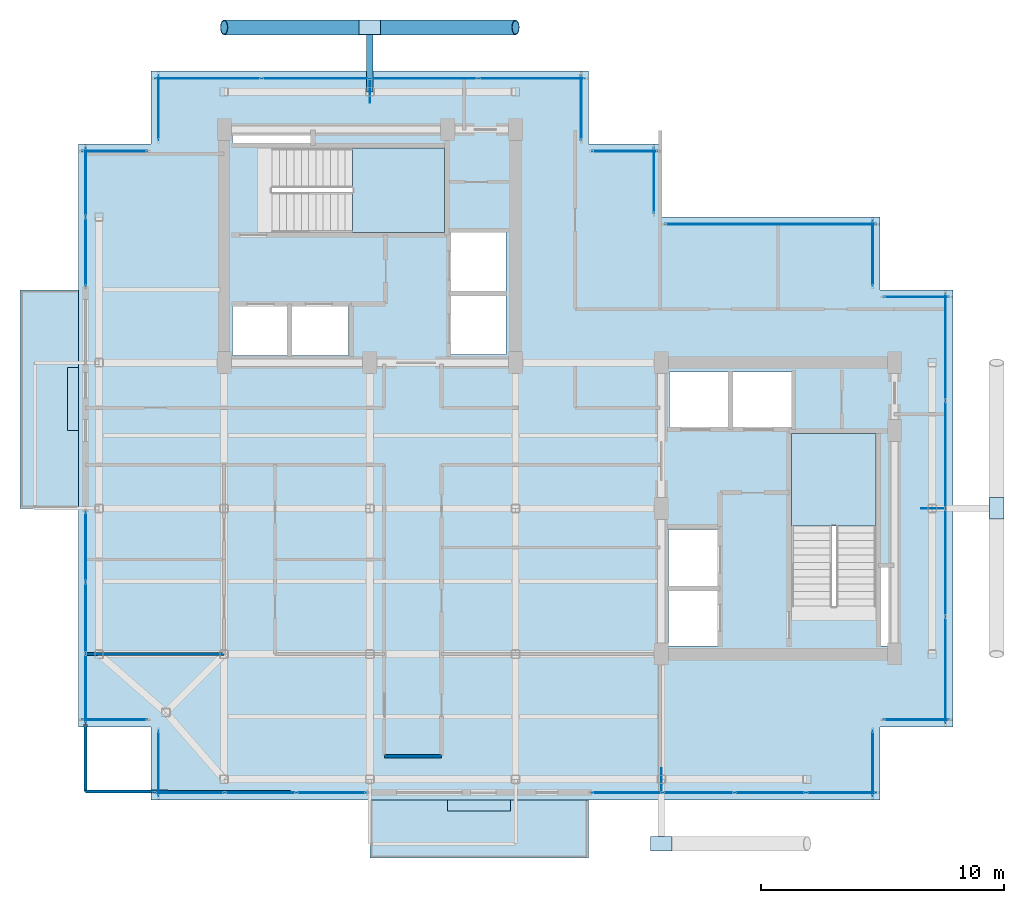
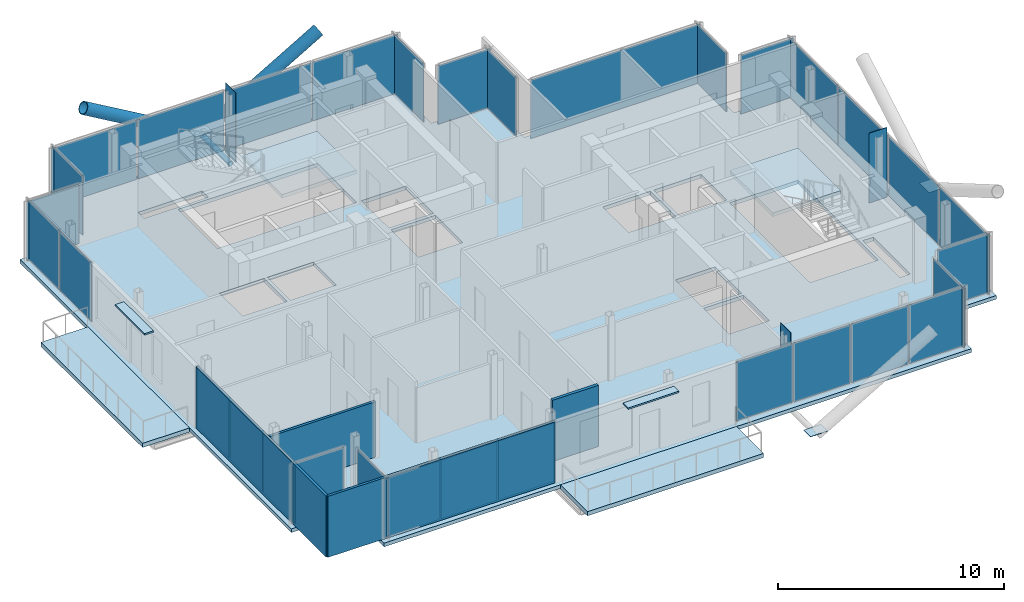
# One storey, part 13 of 18: 40 plates, 5 slabs, 4 walls, 3 members, 20 elements without a shape of their own.
"""IFC4 building model written with IfcOpenShell, lengths in metres."""

from ifc_helpers import new_model, si_unit, direction, frame, frame_2d, origin, origin_2d, place, context, subcontext, project, spatial, polyline, rectangle, hollow_circle, outline, extrude, material, layer, layer_set, material_profile, profile_set, type_object, element, aggregate, save


model = new_model("IFC4")

# Units and contexts
model_context = context("Model", 3, precision=1e-05, world=origin(), true_north=direction((0.0, 1.0)))
body_context = subcontext(model_context, "Body", "Model", "MODEL_VIEW")
ifc_project = project(units=[si_unit("LENGTHUNIT", "METRE"), si_unit("AREAUNIT", "SQUARE_METRE"), si_unit("VOLUMEUNIT", "CUBIC_METRE"), si_unit("PLANEANGLEUNIT", "RADIAN"), si_unit("MASSUNIT", "GRAM", prefix="KILO"), si_unit("THERMODYNAMICTEMPERATUREUNIT", "KELVIN"), si_unit("POWERUNIT", "WATT")], contexts=[model_context])

# Site, building, storey
site_placement = place(None, origin())
site = spatial("IfcSite", under=ifc_project, at=site_placement, CompositionType="ELEMENT")
building_placement = place(site_placement, origin())
building = spatial("IfcBuilding", under=site, at=building_placement, Name="Svarakhadi Broadcast Tower", CompositionType="ELEMENT")
storey_placement = place(building_placement, frame((0.0, 0.0, 267.699951171875)))
storey = spatial("IfcBuildingStorey", under=building, at=storey_placement, Name="L67", CompositionType="ELEMENT", Elevation=267.699951171875)

# Members
ifc_material_1 = material(Name="Steel S460ML (IS 2062 E450BR)", Category="steel")
ifc_material_profile_1 = material_profile(ifc_material_1, hollow_circle(Radius=0.304931640625, WallThickness=0.030029296875, at=origin_2d()), Name="CHS 610x30")
ifc_profile_set_1 = profile_set([ifc_material_profile_1], Name="Steel S460ML (IS 2062 E450BR)")
member_type_1 = type_object("IfcMemberType", Name="Exo_Brace_CHS610", PredefinedType="BRACE", material=ifc_profile_set_1)
for number, where, z_axis, x_axis, name in (
    (1, (12.0, 31.800048828125, -0.33642578125), (-0.863778900898, 0.0, 0.503871025524), (0.0, -1.0, 0.0), "L67 Exposed Bronze Exoskeleton Diagonal N04"),
    (2, (12.0, 31.800048828125, -0.33642578125), (0.863778900898, 0.0, 0.503871025524), (0.0, 1.0, 0.0), "L67 Exposed Bronze Exoskeleton Diagonal N05"),
):
    element("IfcMember", number, at=place(storey_placement, frame(where, z_axis=z_axis, x_axis=x_axis)), inside=storey, type_object=member_type_1, Name=name, PredefinedType="BRACE", context=body_context, shape_type="SweptSolid", body=[
        extrude(hollow_circle(Radius=0.304931640625, WallThickness=0.030029296875, at=origin_2d()), origin(), (0.0, 0.0, 1.0), 6.9462890625),
    ])
ifc_material_profile_2 = material_profile(ifc_material_1, hollow_circle(Radius=0.136474609375, WallThickness=0.012451171875, at=origin_2d()), Name="CHS 273x12.5")
ifc_profile_set_2 = profile_set([ifc_material_profile_2], Name="Steel S460ML (IS 2062 E450BR)")
member_type_2 = type_object("IfcMemberType", Name="Exo_Radial_Strut_Z3", PredefinedType="STRUT", material=ifc_profile_set_2)
member_placement = place(storey_placement, frame((12.0, 31.800048828125, -0.33642578125), z_axis=(0.0, -1.0, 0.0), x_axis=(1.0, 0.0, 0.0)))
element("IfcMember", 3, at=member_placement, inside=storey, type_object=member_type_2, Name="L67 Exoskeleton Radial Tie Strut N03", PredefinedType="STRUT", context=body_context, shape_type="SweptSolid", body=[
    extrude(hollow_circle(Radius=0.136474609375, WallThickness=0.012451171875, at=origin_2d()), origin(), (0.0, 0.0, 1.0), 2.650146484375),
])

# Curtain wall, plate
ifc_material_2 = material(Name="Anodised Bronze Aluminium AA 6063-T6", Category="aluminium")
ifc_layer_1 = layer(ifc_material_2, 0.179931640625)
ifc_layer_set_1 = layer_set([ifc_layer_1], Name="Anodised Bronze Aluminium AA 6063-T6")
curtain_wall_type = type_object("IfcCurtainWallType", Name="CW_Sys_05", PredefinedType="NOTDEFINED", material=ifc_layer_set_1)
curtain_wall_1_placement = place(storey_placement, origin())
curtain_wall_1 = element("IfcCurtainWall", 4, at=curtain_wall_1_placement, inside=storey, type_object=curtain_wall_type, Name="L67 Unitised Facade Curtain Wall 01", PredefinedType="NOTDEFINED")
ifc_material_3 = material(Name="Double Low-E Laminated Acoustic Glass IGU 36 mm", Category="glass")
ifc_layer_2 = layer(ifc_material_3, 0.033935546875)
ifc_layer_set_2 = layer_set([ifc_layer_2], Name="Double Low-E Laminated Acoustic Glass IGU 36 mm")
plate_type_1 = type_object("IfcPlateType", Name="CW_Sys_05_Pnl", PredefinedType="CURTAIN_PANEL", material=ifc_layer_set_2)
plate_1_placement = place(storey_placement, frame((1.5, 3.300048828125, 0.065185546875), z_axis=(0.0, 0.0, 1.0), x_axis=(-1.0, 0.0, 0.0)))
plate_1 = element("IfcPlate", 5, at=plate_1_placement, type_object=plate_type_1, Name="CW-05 panel 1.1", PredefinedType="CURTAIN_PANEL", context=body_context, shape_type="SweptSolid", body=[
    extrude(rectangle(XDim=2.679931640625, YDim=0.033935546875, at=origin_2d()), origin(), (0.0, 0.0, 1.0), 3.169921875),
])
aggregate(curtain_wall_1, [plate_1])

# Curtain wall, plates
curtain_wall_2_placement = place(storey_placement, origin())
curtain_wall_2 = element("IfcCurtainWall", 6, at=curtain_wall_2_placement, inside=storey, type_object=curtain_wall_type, Name="L67 West Curtain Wall 02", PredefinedType="NOTDEFINED")
plate_2_placement = place(storey_placement, frame((0.300048828125, 4.577392578125, 0.065185546875), z_axis=(0.0, 0.0, 1.0), x_axis=(0.0, 1.0, 0.0)))
plate_2 = element("IfcPlate", 7, at=plate_2_placement, type_object=plate_type_1, Name="CW-05 panel 1.1", PredefinedType="CURTAIN_PANEL", context=body_context, shape_type="SweptSolid", body=[
    extrude(rectangle(XDim=2.8349609375, YDim=0.033935546875, at=origin_2d()), origin(), (0.0, 0.0, 1.0), 3.169921875),
])
plate_3_placement = place(storey_placement, frame((0.300048828125, 7.5, 0.065185546875), z_axis=(0.0, 0.0, 1.0), x_axis=(0.0, 1.0, 0.0)))
plate_3 = element("IfcPlate", 8, at=plate_3_placement, type_object=plate_type_1, Name="CW-05 panel 2.1", PredefinedType="CURTAIN_PANEL", context=body_context, shape_type="SweptSolid", body=[
    extrude(rectangle(XDim=2.8701171875, YDim=0.033935546875, at=origin_2d()), origin(), (0.0, 0.0, 1.0), 3.169921875),
])
plate_4_placement = place(storey_placement, frame((0.300048828125, 10.422607421875, 0.065185546875), z_axis=(0.0, 0.0, 1.0), x_axis=(0.0, 1.0, 0.0)))
plate_4 = element("IfcPlate", 9, at=plate_4_placement, type_object=plate_type_1, Name="CW-05 panel 3.1", PredefinedType="CURTAIN_PANEL", context=body_context, shape_type="SweptSolid", body=[
    extrude(rectangle(XDim=2.8349609375, YDim=0.033935546875, at=origin_2d()), origin(), (0.0, 0.0, 1.0), 3.169921875),
])
aggregate(curtain_wall_2, [plate_2, plate_3, plate_4])

curtain_wall_3_placement = place(storey_placement, origin())
curtain_wall_3 = element("IfcCurtainWall", 10, at=curtain_wall_3_placement, inside=storey, type_object=curtain_wall_type, Name="L67 West Curtain Wall 03", PredefinedType="NOTDEFINED")
plate_5_placement = place(storey_placement, frame((0.300048828125, 22.5625, 0.065185546875), z_axis=(0.0, 0.0, 1.0), x_axis=(0.0, 1.0, 0.0)))
plate_5 = element("IfcPlate", 11, at=plate_5_placement, type_object=plate_type_1, Name="CW-05 panel 1.1", PredefinedType="CURTAIN_PANEL", context=body_context, shape_type="SweptSolid", body=[
    extrude(rectangle(XDim=2.804931640625, YDim=0.033935546875, at=origin_2d()), origin(), (0.0, 0.0, 1.0), 3.169921875),
])
plate_6_placement = place(storey_placement, frame((0.300048828125, 25.4375, 0.065185546875), z_axis=(0.0, 0.0, 1.0), x_axis=(0.0, 1.0, 0.0)))
plate_6 = element("IfcPlate", 12, at=plate_6_placement, type_object=plate_type_1, Name="CW-05 panel 2.1", PredefinedType="CURTAIN_PANEL", context=body_context, shape_type="SweptSolid", body=[
    extrude(rectangle(XDim=2.804931640625, YDim=0.033935546875, at=origin_2d()), origin(), (0.0, 0.0, 1.0), 3.169921875),
])
aggregate(curtain_wall_3, [plate_5, plate_6])

# Curtain wall, plate
curtain_wall_4_placement = place(storey_placement, origin())
curtain_wall_4 = element("IfcCurtainWall", 13, at=curtain_wall_4_placement, inside=storey, type_object=curtain_wall_type, Name="L67 Unitised Facade Curtain Wall 04", PredefinedType="NOTDEFINED")
plate_7_placement = place(storey_placement, frame((1.5, 26.699951171875, 0.065185546875), z_axis=(0.0, 0.0, 1.0), x_axis=(1.0, 0.0, 0.0)))
plate_7 = element("IfcPlate", 14, at=plate_7_placement, type_object=plate_type_1, Name="CW-05 panel 1.1", PredefinedType="CURTAIN_PANEL", context=body_context, shape_type="SweptSolid", body=[
    extrude(rectangle(XDim=2.679931640625, YDim=0.033935546875, at=origin_2d()), origin(), (0.0, 0.0, 1.0), 3.169921875),
])
aggregate(curtain_wall_4, [plate_7])

curtain_wall_5_placement = place(storey_placement, origin())
curtain_wall_5 = element("IfcCurtainWall", 15, at=curtain_wall_5_placement, inside=storey, type_object=curtain_wall_type, Name="L67 Unitised Facade Curtain Wall 05", PredefinedType="NOTDEFINED")
plate_8_placement = place(storey_placement, frame((3.300048828125, 28.5, 0.065185546875), z_axis=(0.0, 0.0, 1.0), x_axis=(0.0, 1.0, 0.0)))
plate_8 = element("IfcPlate", 16, at=plate_8_placement, type_object=plate_type_1, Name="CW-05 panel 1.1", PredefinedType="CURTAIN_PANEL", context=body_context, shape_type="SweptSolid", body=[
    extrude(rectangle(XDim=2.679931640625, YDim=0.033935546875, at=origin_2d()), origin(), (0.0, 0.0, 1.0), 3.169921875),
])
aggregate(curtain_wall_5, [plate_8])

# Curtain wall, plates
curtain_wall_6_placement = place(storey_placement, origin())
curtain_wall_6 = element("IfcCurtainWall", 17, at=curtain_wall_6_placement, inside=storey, type_object=curtain_wall_type, Name="L67 Unitised Facade Curtain Wall 06", PredefinedType="NOTDEFINED")
plate_9_placement = place(storey_placement, frame((5.3349609375, 29.699951171875, 0.065185546875), z_axis=(0.0, 0.0, 1.0), x_axis=(1.0, 0.0, 0.0)))
plate_9 = element("IfcPlate", 18, at=plate_9_placement, type_object=plate_type_1, Name="CW-05 panel 1.1", PredefinedType="CURTAIN_PANEL", context=body_context, shape_type="SweptSolid", body=[
    extrude(rectangle(XDim=4.35009765625, YDim=0.033935546875, at=origin_2d()), origin(), (0.0, 0.0, 1.0), 3.169921875),
])
plate_10_placement = place(storey_placement, frame((9.7724609375, 29.699951171875, 0.065185546875), z_axis=(0.0, 0.0, 1.0), x_axis=(1.0, 0.0, 0.0)))
plate_10 = element("IfcPlate", 19, at=plate_10_placement, type_object=plate_type_1, Name="CW-05 panel 2.1", PredefinedType="CURTAIN_PANEL", context=body_context, shape_type="SweptSolid", body=[
    extrude(rectangle(XDim=4.385009765625, YDim=0.033935546875, at=origin_2d()), origin(), (0.0, 0.0, 1.0), 3.169921875),
])
plate_11_placement = place(storey_placement, frame((14.2275390625, 29.699951171875, 0.065185546875), z_axis=(0.0, 0.0, 1.0), x_axis=(1.0, 0.0, 0.0)))
plate_11 = element("IfcPlate", 20, at=plate_11_placement, type_object=plate_type_1, Name="CW-05 panel 3.1", PredefinedType="CURTAIN_PANEL", context=body_context, shape_type="SweptSolid", body=[
    extrude(rectangle(XDim=4.385009765625, YDim=0.033935546875, at=origin_2d()), origin(), (0.0, 0.0, 1.0), 3.169921875),
])
plate_12_placement = place(storey_placement, frame((18.6650390625, 29.699951171875, 0.065185546875), z_axis=(0.0, 0.0, 1.0), x_axis=(1.0, 0.0, 0.0)))
plate_12 = element("IfcPlate", 21, at=plate_12_placement, type_object=plate_type_1, Name="CW-05 panel 4.1", PredefinedType="CURTAIN_PANEL", context=body_context, shape_type="SweptSolid", body=[
    extrude(rectangle(XDim=4.35009765625, YDim=0.033935546875, at=origin_2d()), origin(), (0.0, 0.0, 1.0), 3.169921875),
])
aggregate(curtain_wall_6, [plate_9, plate_10, plate_11, plate_12])

# Curtain wall, plate
curtain_wall_7_placement = place(storey_placement, origin())
curtain_wall_7 = element("IfcCurtainWall", 22, at=curtain_wall_7_placement, inside=storey, type_object=curtain_wall_type, Name="L67 Unitised Facade Curtain Wall 07", PredefinedType="NOTDEFINED")
plate_13_placement = place(storey_placement, frame((20.699951171875, 28.5, 0.065185546875), z_axis=(0.0, 0.0, 1.0), x_axis=(0.0, -1.0, 0.0)))
plate_13 = element("IfcPlate", 23, at=plate_13_placement, type_object=plate_type_1, Name="CW-05 panel 1.1", PredefinedType="CURTAIN_PANEL", context=body_context, shape_type="SweptSolid", body=[
    extrude(rectangle(XDim=2.679931640625, YDim=0.033935546875, at=origin_2d()), origin(), (0.0, 0.0, 1.0), 3.169921875),
])
aggregate(curtain_wall_7, [plate_13])

curtain_wall_8_placement = place(storey_placement, origin())
curtain_wall_8 = element("IfcCurtainWall", 24, at=curtain_wall_8_placement, inside=storey, type_object=curtain_wall_type, Name="L67 Unitised Facade Curtain Wall 08", PredefinedType="NOTDEFINED")
plate_14_placement = place(storey_placement, frame((22.5, 26.699951171875, 0.065185546875), z_axis=(0.0, 0.0, 1.0), x_axis=(1.0, 0.0, 0.0)))
plate_14 = element("IfcPlate", 25, at=plate_14_placement, type_object=plate_type_1, Name="CW-05 panel 1.1", PredefinedType="CURTAIN_PANEL", context=body_context, shape_type="SweptSolid", body=[
    extrude(rectangle(XDim=2.679931640625, YDim=0.033935546875, at=origin_2d()), origin(), (0.0, 0.0, 1.0), 3.169921875),
])
aggregate(curtain_wall_8, [plate_14])

curtain_wall_9_placement = place(storey_placement, origin())
curtain_wall_9 = element("IfcCurtainWall", 26, at=curtain_wall_9_placement, inside=storey, type_object=curtain_wall_type, Name="L67 Unitised Facade Curtain Wall 09", PredefinedType="NOTDEFINED")
plate_15_placement = place(storey_placement, frame((23.699951171875, 25.5, 0.065185546875), z_axis=(0.0, 0.0, 1.0), x_axis=(0.0, -1.0, 0.0)))
plate_15 = element("IfcPlate", 27, at=plate_15_placement, type_object=plate_type_1, Name="CW-05 panel 1.1", PredefinedType="CURTAIN_PANEL", context=body_context, shape_type="SweptSolid", body=[
    extrude(rectangle(XDim=2.679931640625, YDim=0.033935546875, at=origin_2d()), origin(), (0.0, 0.0, 1.0), 3.169921875),
])
aggregate(curtain_wall_9, [plate_15])

curtain_wall_10_placement = place(storey_placement, origin())
curtain_wall_10 = element("IfcCurtainWall", 28, at=curtain_wall_10_placement, inside=storey, type_object=curtain_wall_type, Name="L67 Unitised Facade Curtain Wall 10", PredefinedType="NOTDEFINED")
plate_16_placement = place(storey_placement, frame((28.5, 23.699951171875, 0.065185546875), z_axis=(0.0, 0.0, 1.0), x_axis=(1.0, 0.0, 0.0)))
plate_16 = element("IfcPlate", 29, at=plate_16_placement, type_object=plate_type_1, Name="CW-05 panel 1.1", PredefinedType="CURTAIN_PANEL", context=body_context, shape_type="SweptSolid", body=[
    extrude(rectangle(XDim=8.679931640625, YDim=0.033935546875, at=origin_2d()), origin(), (0.0, 0.0, 1.0), 3.169921875),
])
aggregate(curtain_wall_10, [plate_16])

curtain_wall_11_placement = place(storey_placement, origin())
curtain_wall_11 = element("IfcCurtainWall", 30, at=curtain_wall_11_placement, inside=storey, type_object=curtain_wall_type, Name="L67 Unitised Facade Curtain Wall 11", PredefinedType="NOTDEFINED")
plate_17_placement = place(storey_placement, frame((32.699951171875, 22.5, 0.065185546875), z_axis=(0.0, 0.0, 1.0), x_axis=(0.0, -1.0, 0.0)))
plate_17 = element("IfcPlate", 31, at=plate_17_placement, type_object=plate_type_1, Name="CW-05 panel 1.1", PredefinedType="CURTAIN_PANEL", context=body_context, shape_type="SweptSolid", body=[
    extrude(rectangle(XDim=2.679931640625, YDim=0.033935546875, at=origin_2d()), origin(), (0.0, 0.0, 1.0), 3.169921875),
])
aggregate(curtain_wall_11, [plate_17])

curtain_wall_12_placement = place(storey_placement, origin())
curtain_wall_12 = element("IfcCurtainWall", 32, at=curtain_wall_12_placement, inside=storey, type_object=curtain_wall_type, Name="L67 Unitised Facade Curtain Wall 12", PredefinedType="NOTDEFINED")
plate_18_placement = place(storey_placement, frame((34.5, 20.699951171875, 0.065185546875), z_axis=(0.0, 0.0, 1.0), x_axis=(1.0, 0.0, 0.0)))
plate_18 = element("IfcPlate", 33, at=plate_18_placement, type_object=plate_type_1, Name="CW-05 panel 1.1", PredefinedType="CURTAIN_PANEL", context=body_context, shape_type="SweptSolid", body=[
    extrude(rectangle(XDim=2.679931640625, YDim=0.033935546875, at=origin_2d()), origin(), (0.0, 0.0, 1.0), 3.169921875),
])
aggregate(curtain_wall_12, [plate_18])

# Curtain wall, plates
curtain_wall_13_placement = place(storey_placement, origin())
curtain_wall_13 = element("IfcCurtainWall", 34, at=curtain_wall_13_placement, inside=storey, type_object=curtain_wall_type, Name="L67 Unitised Facade Curtain Wall 13", PredefinedType="NOTDEFINED")
plate_19_placement = place(storey_placement, frame((35.699951171875, 18.6650390625, 0.065185546875), z_axis=(0.0, 0.0, 1.0), x_axis=(0.0, -1.0, 0.0)))
plate_19 = element("IfcPlate", 35, at=plate_19_placement, type_object=plate_type_1, Name="CW-05 panel 1.1", PredefinedType="CURTAIN_PANEL", context=body_context, shape_type="SweptSolid", body=[
    extrude(rectangle(XDim=4.35009765625, YDim=0.033935546875, at=origin_2d()), origin(), (0.0, 0.0, 1.0), 3.169921875),
])
plate_20_placement = place(storey_placement, frame((35.699951171875, 14.2275390625, 0.065185546875), z_axis=(0.0, 0.0, 1.0), x_axis=(0.0, -1.0, 0.0)))
plate_20 = element("IfcPlate", 36, at=plate_20_placement, type_object=plate_type_1, Name="CW-05 panel 2.1", PredefinedType="CURTAIN_PANEL", context=body_context, shape_type="SweptSolid", body=[
    extrude(rectangle(XDim=4.385009765625, YDim=0.033935546875, at=origin_2d()), origin(), (0.0, 0.0, 1.0), 3.169921875),
])
plate_21_placement = place(storey_placement, frame((35.699951171875, 9.7724609375, 0.065185546875), z_axis=(0.0, 0.0, 1.0), x_axis=(0.0, -1.0, 0.0)))
plate_21 = element("IfcPlate", 37, at=plate_21_placement, type_object=plate_type_1, Name="CW-05 panel 3.1", PredefinedType="CURTAIN_PANEL", context=body_context, shape_type="SweptSolid", body=[
    extrude(rectangle(XDim=4.385009765625, YDim=0.033935546875, at=origin_2d()), origin(), (0.0, 0.0, 1.0), 3.169921875),
])
plate_22_placement = place(storey_placement, frame((35.699951171875, 5.3349609375, 0.065185546875), z_axis=(0.0, 0.0, 1.0), x_axis=(0.0, -1.0, 0.0)))
plate_22 = element("IfcPlate", 38, at=plate_22_placement, type_object=plate_type_1, Name="CW-05 panel 4.1", PredefinedType="CURTAIN_PANEL", context=body_context, shape_type="SweptSolid", body=[
    extrude(rectangle(XDim=4.35009765625, YDim=0.033935546875, at=origin_2d()), origin(), (0.0, 0.0, 1.0), 3.169921875),
])
aggregate(curtain_wall_13, [plate_19, plate_20, plate_21, plate_22])

# Curtain wall, plate
curtain_wall_14_placement = place(storey_placement, origin())
curtain_wall_14 = element("IfcCurtainWall", 39, at=curtain_wall_14_placement, inside=storey, type_object=curtain_wall_type, Name="L67 Unitised Facade Curtain Wall 14", PredefinedType="NOTDEFINED")
plate_23_placement = place(storey_placement, frame((34.5, 3.300048828125, 0.065185546875), z_axis=(0.0, 0.0, 1.0), x_axis=(-1.0, 0.0, 0.0)))
plate_23 = element("IfcPlate", 40, at=plate_23_placement, type_object=plate_type_1, Name="CW-05 panel 1.1", PredefinedType="CURTAIN_PANEL", context=body_context, shape_type="SweptSolid", body=[
    extrude(rectangle(XDim=2.679931640625, YDim=0.033935546875, at=origin_2d()), origin(), (0.0, 0.0, 1.0), 3.169921875),
])
aggregate(curtain_wall_14, [plate_23])

curtain_wall_15_placement = place(storey_placement, origin())
curtain_wall_15 = element("IfcCurtainWall", 41, at=curtain_wall_15_placement, inside=storey, type_object=curtain_wall_type, Name="L67 Unitised Facade Curtain Wall 15", PredefinedType="NOTDEFINED")
plate_24_placement = place(storey_placement, frame((32.699951171875, 1.5, 0.065185546875), z_axis=(0.0, 0.0, 1.0), x_axis=(0.0, -1.0, 0.0)))
plate_24 = element("IfcPlate", 42, at=plate_24_placement, type_object=plate_type_1, Name="CW-05 panel 1.1", PredefinedType="CURTAIN_PANEL", context=body_context, shape_type="SweptSolid", body=[
    extrude(rectangle(XDim=2.679931640625, YDim=0.033935546875, at=origin_2d()), origin(), (0.0, 0.0, 1.0), 3.169921875),
])
aggregate(curtain_wall_15, [plate_24])

# Curtain wall, plates
curtain_wall_16_placement = place(storey_placement, origin())
curtain_wall_16 = element("IfcCurtainWall", 43, at=curtain_wall_16_placement, inside=storey, type_object=curtain_wall_type, Name="L67 South Curtain Wall 16", PredefinedType="NOTDEFINED")
plate_25_placement = place(storey_placement, frame((31.4150390625, 0.300048828125, 0.065185546875), z_axis=(0.0, 0.0, 1.0), x_axis=(-1.0, 0.0, 0.0)))
plate_25 = element("IfcPlate", 44, at=plate_25_placement, type_object=plate_type_1, Name="CW-05 panel 1.1", PredefinedType="CURTAIN_PANEL", context=body_context, shape_type="SweptSolid", body=[
    extrude(rectangle(XDim=2.85009765625, YDim=0.033935546875, at=origin_2d()), origin(), (0.0, 0.0, 1.0), 3.169921875),
])
plate_26_placement = place(storey_placement, frame((28.4775390625, 0.300048828125, 0.065185546875), z_axis=(0.0, 0.0, 1.0), x_axis=(-1.0, 0.0, 0.0)))
plate_26 = element("IfcPlate", 45, at=plate_26_placement, type_object=plate_type_1, Name="CW-05 panel 2.1", PredefinedType="CURTAIN_PANEL", context=body_context, shape_type="SweptSolid", body=[
    extrude(rectangle(XDim=2.885009765625, YDim=0.033935546875, at=origin_2d()), origin(), (0.0, 0.0, 1.0), 3.169921875),
])
plate_27_placement = place(storey_placement, frame((25.5224609375, 0.300048828125, 0.065185546875), z_axis=(0.0, 0.0, 1.0), x_axis=(-1.0, 0.0, 0.0)))
plate_27 = element("IfcPlate", 46, at=plate_27_placement, type_object=plate_type_1, Name="CW-05 panel 3.1", PredefinedType="CURTAIN_PANEL", context=body_context, shape_type="SweptSolid", body=[
    extrude(rectangle(XDim=2.885009765625, YDim=0.033935546875, at=origin_2d()), origin(), (0.0, 0.0, 1.0), 3.169921875),
])
plate_28_placement = place(storey_placement, frame((22.5849609375, 0.300048828125, 0.065185546875), z_axis=(0.0, 0.0, 1.0), x_axis=(-1.0, 0.0, 0.0)))
plate_28 = element("IfcPlate", 47, at=plate_28_placement, type_object=plate_type_1, Name="CW-05 panel 4.1", PredefinedType="CURTAIN_PANEL", context=body_context, shape_type="SweptSolid", body=[
    extrude(rectangle(XDim=2.85009765625, YDim=0.033935546875, at=origin_2d()), origin(), (0.0, 0.0, 1.0), 3.169921875),
])
aggregate(curtain_wall_16, [plate_25, plate_26, plate_27, plate_28])

curtain_wall_17_placement = place(storey_placement, origin())
curtain_wall_17 = element("IfcCurtainWall", 48, at=curtain_wall_17_placement, inside=storey, type_object=curtain_wall_type, Name="L67 South Curtain Wall 17", PredefinedType="NOTDEFINED")
plate_29_placement = place(storey_placement, frame((10.422607421875, 0.300048828125, 0.065185546875), z_axis=(0.0, 0.0, 1.0), x_axis=(-1.0, 0.0, 0.0)))
plate_29 = element("IfcPlate", 49, at=plate_29_placement, type_object=plate_type_1, Name="CW-05 panel 1.1", PredefinedType="CURTAIN_PANEL", context=body_context, shape_type="SweptSolid", body=[
    extrude(rectangle(XDim=2.8349609375, YDim=0.033935546875, at=origin_2d()), origin(), (0.0, 0.0, 1.0), 3.169921875),
])
plate_30_placement = place(storey_placement, frame((7.5, 0.300048828125, 0.065185546875), z_axis=(0.0, 0.0, 1.0), x_axis=(-1.0, 0.0, 0.0)))
plate_30 = element("IfcPlate", 50, at=plate_30_placement, type_object=plate_type_1, Name="CW-05 panel 2.1", PredefinedType="CURTAIN_PANEL", context=body_context, shape_type="SweptSolid", body=[
    extrude(rectangle(XDim=2.8701171875, YDim=0.033935546875, at=origin_2d()), origin(), (0.0, 0.0, 1.0), 3.169921875),
])
plate_31_placement = place(storey_placement, frame((4.577392578125, 0.300048828125, 0.065185546875), z_axis=(0.0, 0.0, 1.0), x_axis=(-1.0, 0.0, 0.0)))
plate_31 = element("IfcPlate", 51, at=plate_31_placement, type_object=plate_type_1, Name="CW-05 panel 3.1", PredefinedType="CURTAIN_PANEL", context=body_context, shape_type="SweptSolid", body=[
    extrude(rectangle(XDim=2.8349609375, YDim=0.033935546875, at=origin_2d()), origin(), (0.0, 0.0, 1.0), 3.169921875),
])
aggregate(curtain_wall_17, [plate_29, plate_30, plate_31])

# Curtain wall, plate
curtain_wall_18_placement = place(storey_placement, origin())
curtain_wall_18 = element("IfcCurtainWall", 52, at=curtain_wall_18_placement, inside=storey, type_object=curtain_wall_type, Name="L67 Unitised Facade Curtain Wall 18", PredefinedType="NOTDEFINED")
plate_32_placement = place(storey_placement, frame((3.300048828125, 1.5, 0.065185546875), z_axis=(0.0, 0.0, 1.0), x_axis=(0.0, 1.0, 0.0)))
plate_32 = element("IfcPlate", 53, at=plate_32_placement, type_object=plate_type_1, Name="CW-05 panel 1.1", PredefinedType="CURTAIN_PANEL", context=body_context, shape_type="SweptSolid", body=[
    extrude(rectangle(XDim=2.679931640625, YDim=0.033935546875, at=origin_2d()), origin(), (0.0, 0.0, 1.0), 3.169921875),
])
aggregate(curtain_wall_18, [plate_32])

# Plates
ifc_layer_3 = layer(ifc_material_1, 0.02490234375)
ifc_layer_set_3 = layer_set([ifc_layer_3], Name="Steel S460ML (IS 2062 E450BR)")
plate_type_2 = type_object("IfcPlateType", Name="Node_Gusset_N05", PredefinedType="SHEET", material=ifc_layer_set_3)
for number, where, z_axis, x_axis, name in (
    (54, (24.0, -1.800048828125, -0.199951171875), (0.0, 0.0, 1.0), (1.0, 0.0, 0.0), "L67 Exoskeleton Gusset Node Plate S01"),
    (55, (37.800048828125, 12.0, -0.199951171875), (0.0, 0.0, 1.0), (0.0, 1.0, 0.0), "L67 Exoskeleton Gusset Node Plate E02"),
    (56, (12.0, 31.800048828125, -0.199951171875), (0.0, 0.0, 1.0), (1.0, 0.0, 0.0), "L67 Exoskeleton Gusset Node Plate N03"),
):
    element("IfcPlate", number, at=place(storey_placement, frame(where, z_axis=z_axis, x_axis=x_axis)), inside=storey, type_object=plate_type_2, Name=name, PredefinedType="SHEET", context=body_context, shape_type="SweptSolid", body=[
        extrude(rectangle(XDim=0.8798828125, YDim=0.60009765625, at=origin_2d()), origin(), (0.0, 0.0, 1.0), 0.02490234375),
    ])
ifc_layer_4 = layer(ifc_material_1, 0.02587890625)
ifc_layer_set_4 = layer_set([ifc_layer_4], Name="Steel S460ML (IS 2062 E450BR)")
plate_type_3 = type_object("IfcPlateType", Name="Node_Gusset_N07", PredefinedType="SHEET", material=ifc_layer_set_4)
for number, where, z_axis, x_axis, name in (
    (57, (24.0, 0.85009765625, -0.53662109375), (0.0, 0.0, 1.0), (0.0, 1.0, 0.0), "L67 Brace End Connection Gusset Plate N-07-E0532"),
    (58, (35.14990234375, 12.0, -0.53662109375), (0.0, 0.0, 1.0), (1.0, 0.0, 0.0), "L67 Brace End Connection Gusset Plate N-07-E0533"),
    (59, (12.0, 29.14990234375, -0.53662109375), (0.0, 0.0, 1.0), (0.0, 1.0, 0.0), "L67 Brace End Connection Gusset Plate N-07-E0534"),
):
    element("IfcPlate", number, at=place(storey_placement, frame(where, z_axis=z_axis, x_axis=x_axis)), inside=storey, type_object=plate_type_3, Name=name, PredefinedType="SHEET", context=body_context, shape_type="SweptSolid", body=[
        extrude(rectangle(XDim=0.919921875, YDim=0.02587890625, at=origin_2d()), origin(), (0.0, 0.0, 1.0), 4.300048828125),
    ])

# Slab
ifc_material_4 = material(Name="Concrete C40/50 (IS 456 M50)", Category="concrete")
ifc_layer_5 = layer(ifc_material_4, 0.199951171875)
ifc_layer_set_5 = layer_set([ifc_layer_5], Name="Concrete C40/50 (IS 456 M50)")
slab_type_1 = type_object("IfcSlabType", Name="Slab_Floor_200", PredefinedType="FLOOR", material=ifc_layer_set_5)
slab_1_placement = place(storey_placement, frame((0.0, 0.0, -0.199951171875)))
element("IfcSlab", 60, at=slab_1_placement, inside=storey, type_object=slab_type_1, Name="L67 Structural Floor Slab", PredefinedType="FLOOR", context=body_context, shape_type="SweptSolid", body=[
    extrude(outline(polyline([(3.0, 0.0), (33.0, 0.0), (33.0, 3.0), (36.0, 3.0), (36.0, 21.0), (33.0, 21.0), (33.0, 24.0), (24.0, 24.0), (24.0, 27.0), (21.0, 27.0), (21.0, 30.0), (3.0, 30.0), (3.0, 27.0), (0.0, 27.0), (0.0, 3.0), (3.0, 3.0), (3.0, 0.0)]), holes=[polyline([(7.97998046875, 23.360107421875), (15.080078125, 23.360107421875), (15.080078125, 26.840087890625), (7.97998046875, 26.840087890625), (7.97998046875, 23.360107421875)]), polyline([(32.840087890625, 7.97998046875), (32.840087890625, 15.080078125), (29.360107421875, 15.080078125), (29.360107421875, 7.97998046875), (32.840087890625, 7.97998046875)]), polyline([(6.340087890625, 18.2900390625), (8.610107421875, 18.2900390625), (8.610107421875, 20.330078125), (6.340087890625, 20.330078125), (6.340087890625, 18.2900390625)]), polyline([(8.7900390625, 18.2900390625), (11.1298828125, 18.2900390625), (11.1298828125, 20.330078125), (8.7900390625, 20.330078125), (8.7900390625, 18.2900390625)]), polyline([(24.2900390625, 6.340087890625), (26.330078125, 6.340087890625), (26.330078125, 8.610107421875), (24.2900390625, 8.610107421875), (24.2900390625, 6.340087890625)]), polyline([(24.2900390625, 8.7900390625), (26.330078125, 8.7900390625), (26.330078125, 11.1298828125), (24.2900390625, 11.1298828125), (24.2900390625, 8.7900390625)]), polyline([(6.340087890625, 26.989990234375), (9.610107421875, 26.989990234375), (9.610107421875, 27.530029296875), (6.340087890625, 27.530029296875), (6.340087890625, 26.989990234375)]), polyline([(32.989990234375, 6.340087890625), (33.530029296875, 6.340087890625), (33.530029296875, 9.610107421875), (32.989990234375, 9.610107421875), (32.989990234375, 6.340087890625)]), polyline([(15.340087890625, 18.340087890625), (17.610107421875, 18.340087890625), (17.610107421875, 20.760009765625), (15.340087890625, 20.760009765625), (15.340087890625, 18.340087890625)]), polyline([(15.340087890625, 20.93994140625), (17.610107421875, 20.93994140625), (17.610107421875, 23.360107421875), (15.340087890625, 23.360107421875), (15.340087890625, 20.93994140625)]), polyline([(24.340087890625, 15.340087890625), (26.760009765625, 15.340087890625), (26.760009765625, 17.610107421875), (24.340087890625, 17.610107421875), (24.340087890625, 15.340087890625)]), polyline([(26.93994140625, 15.340087890625), (29.360107421875, 15.340087890625), (29.360107421875, 17.610107421875), (26.93994140625, 17.610107421875), (26.93994140625, 15.340087890625)])]), origin(), (0.0, 0.0, 1.0), 0.199951171875),
])

# Stair, slab
stair_type = type_object("IfcStairType", Name="Stair_Exit_Core", PredefinedType="HALF_TURN_STAIR", material=ifc_material_4)
stair_1_placement = place(storey_placement, origin())
stair_1 = element("IfcStair", 61, at=stair_1_placement, inside=storey, type_object=stair_type, Name="L67 West Core Protected Exit Stair ST-01", PredefinedType="HALF_TURN_STAIR")
ifc_layer_6 = layer(ifc_material_4, 0.199951171875)
ifc_layer_set_6 = layer_set([ifc_layer_6], Name="Concrete C40/50 (IS 456 M50)")
slab_type_2 = type_object("IfcSlabType", Name="Slab_Stair_Land", PredefinedType="LANDING", material=ifc_layer_set_6)
slab_2_placement = place(storey_placement, frame((0.0, 0.0, 1.550048828125)))
slab_2 = element("IfcSlab", 62, at=slab_2_placement, type_object=slab_type_2, Name="ST-01 landing 1", PredefinedType="LANDING", context=body_context, shape_type="SweptSolid", body=[
    extrude(outline(polyline([(11.280029296875, 23.360107421875), (15.080078125, 23.360107421875), (15.080078125, 26.840087890625), (11.280029296875, 26.840087890625), (11.280029296875, 23.360107421875)])), origin(), (0.0, 0.0, 1.0), 0.199951171875),
])
aggregate(stair_1, [slab_2])

stair_2_placement = place(storey_placement, origin())
stair_2 = element("IfcStair", 63, at=stair_2_placement, inside=storey, type_object=stair_type, Name="L67 East Core Protected Exit Stair ST-02", PredefinedType="HALF_TURN_STAIR")
slab_3_placement = place(storey_placement, frame((0.0, 0.0, 1.550048828125)))
slab_3 = element("IfcSlab", 64, at=slab_3_placement, type_object=slab_type_2, Name="ST-02 landing 1", PredefinedType="LANDING", context=body_context, shape_type="SweptSolid", body=[
    extrude(outline(polyline([(32.840087890625, 11.280029296875), (32.840087890625, 15.080078125), (29.360107421875, 15.080078125), (29.360107421875, 11.280029296875), (32.840087890625, 11.280029296875)])), origin(), (0.0, 0.0, 1.0), 0.199951171875),
])
aggregate(stair_2, [slab_3])

# Slabs
ifc_layer_7 = layer(ifc_material_4, 0.22509765625)
ifc_layer_set_7 = layer_set([ifc_layer_7], Name="Concrete C40/50 (IS 456 M50)")
slab_type_3 = type_object("IfcSlabType", Name="Slab_TreeBalcony", PredefinedType="FLOOR", material=ifc_layer_set_7)
slab_4_placement = place(storey_placement, frame((0.0, 0.0, -0.224853515625)))
element("IfcSlab", 65, at=slab_4_placement, inside=storey, type_object=slab_type_3, Name="L67 Planted Tree Balcony Slab BAL-S", PredefinedType="FLOOR", context=body_context, shape_type="SweptSolid", body=[
    extrude(outline(polyline([(12.0, -2.39990234375), (21.0, -2.39990234375), (21.0, 0.0), (12.0, 0.0), (12.0, -2.39990234375)])), origin(), (0.0, 0.0, 1.0), 0.224853515625),
])
slab_5_placement = place(storey_placement, frame((0.0, 0.0, -0.224853515625)))
element("IfcSlab", 66, at=slab_5_placement, inside=storey, type_object=slab_type_3, Name="L67 Planted Tree Balcony Slab BAL-W", PredefinedType="FLOOR", context=body_context, shape_type="SweptSolid", body=[
    extrude(outline(polyline([(-2.39990234375, 12.0), (0.0, 12.0), (0.0, 21.0), (-2.39990234375, 21.0), (-2.39990234375, 12.0)])), origin(), (0.0, 0.0, 1.0), 0.224853515625),
])

# Plates
ifc_layer_8 = layer(ifc_material_2, 0.080078125)
ifc_layer_set_8 = layer_set([ifc_layer_8], Name="Anodised Bronze Aluminium AA 6063-T6")
plate_type_4 = type_object("IfcPlateType", Name="Sunshade_Fin_SS01", PredefinedType="USERDEFINED", material=ifc_layer_set_8)
for number, where, z_axis, x_axis, name in (
    (67, (16.5, -0.22509765625, 3.219970703125), (0.0, 0.0, 1.0), (1.0, 0.0, 0.0), "L67 South Bronze Brise-Soleil Sunshade SS-01"),
    (68, (-0.22509765625, 16.5, 3.219970703125), (0.0, 0.0, 1.0), (0.0, 1.0, 0.0), "L67 West Bronze Brise-Soleil Sunshade SS-01"),
):
    element("IfcPlate", number, at=place(storey_placement, frame(where, z_axis=z_axis, x_axis=x_axis)), inside=storey, type_object=plate_type_4, Name=name, ObjectType="SUNSHADE", PredefinedType="USERDEFINED", context=body_context, shape_type="SweptSolid", body=[
        extrude(rectangle(XDim=2.60009765625, YDim=0.449951171875, at=origin_2d()), origin(), (0.0, 0.0, 1.0), 0.080078125),
    ])

# Walls
ifc_material_5 = material(Name="Fire-Rated Moisture-Resistant Gypsum Board Partition", Category="gypsum")
ifc_layer_9 = layer(ifc_material_5, 0.125)
ifc_layer_set_9 = layer_set([ifc_layer_9], Name="Fire-Rated Moisture-Resistant Gypsum Board Partition")
wall_type_1 = type_object("IfcWallType", Name="Wall_Part_125", PredefinedType="PARTITIONING", material=ifc_layer_set_9)
wall_1_placement = place(storey_placement, frame((0.300048828125, 0.35009765625, 0.0), z_axis=(0.0, 0.0, 1.0), x_axis=(0.999991685722, -0.004077804208, 0.0)))
element("IfcWall", 69, at=wall_1_placement, inside=storey, type_object=wall_type_1, Name="L67 Apartment A Wall", PredefinedType="PARTITIONING", context=body_context, shape_type="SweptSolid", body=[
    extrude(rectangle(XDim=11.554931640625, YDim=0.125, at=frame_2d((5.77734375, 0.0))), origin(), (0.0, 0.0, 1.0), 3.300048828125),
])
wall_2_placement = place(storey_placement, frame((0.300048828125, 0.35009765625, 0.0), z_axis=(0.0, 0.0, 1.0), x_axis=(0.0, 1.0, 0.0)))
element("IfcWall", 70, at=wall_2_placement, inside=storey, type_object=wall_type_1, Name="L67 Apartment A Wall", PredefinedType="PARTITIONING", context=body_context, shape_type="SweptSolid", body=[
    extrude(rectangle(XDim=11.5048828125, YDim=0.125, at=frame_2d((5.75244140625, 0.0))), origin(), (0.0, 0.0, 1.0), 3.300048828125),
])
wall_3_placement = place(storey_placement, frame((0.300048828125, 6.0, 0.0), z_axis=(0.0, 0.0, 1.0), x_axis=(1.0, 0.0, 0.0)))
element("IfcWall", 71, at=wall_3_placement, inside=storey, type_object=wall_type_1, Name="L67 Apartment A Bedroom 1 Wall", PredefinedType="PARTITIONING", context=body_context, shape_type="SweptSolid", body=[
    extrude(rectangle(XDim=5.699951171875, YDim=0.125, at=frame_2d((2.85009765625, 0.0))), origin(), (0.0, 0.0, 1.0), 2.991943359375),
])
ifc_material_6 = material(Name="Autoclaved Aerated Concrete Blockwork 150 mm", Category="masonry")
ifc_layer_10 = layer(ifc_material_6, 0.14990234375)
ifc_layer_set_10 = layer_set([ifc_layer_10], Name="Autoclaved Aerated Concrete Blockwork 150 mm")
wall_type_2 = type_object("IfcWallType", Name="Wall_Part_150", PredefinedType="PARTITIONING", material=ifc_layer_set_10)
wall_4_placement = place(storey_placement, frame((14.949951171875, 1.800048828125, 0.0), z_axis=(0.0, 0.0, 1.0), x_axis=(-1.0, 0.0, 0.0)))
element("IfcWall", 72, at=wall_4_placement, inside=storey, type_object=wall_type_2, Name="L67 Upper Tower Concourse Wall", PredefinedType="PARTITIONING", context=body_context, shape_type="SweptSolid", body=[
    extrude(rectangle(XDim=2.349853515625, YDim=0.14990234375, at=frame_2d((1.1748046875, 0.0))), origin(), (0.0, 0.0, 1.0), 3.300048828125),
])

save(model, "model.ifc")
